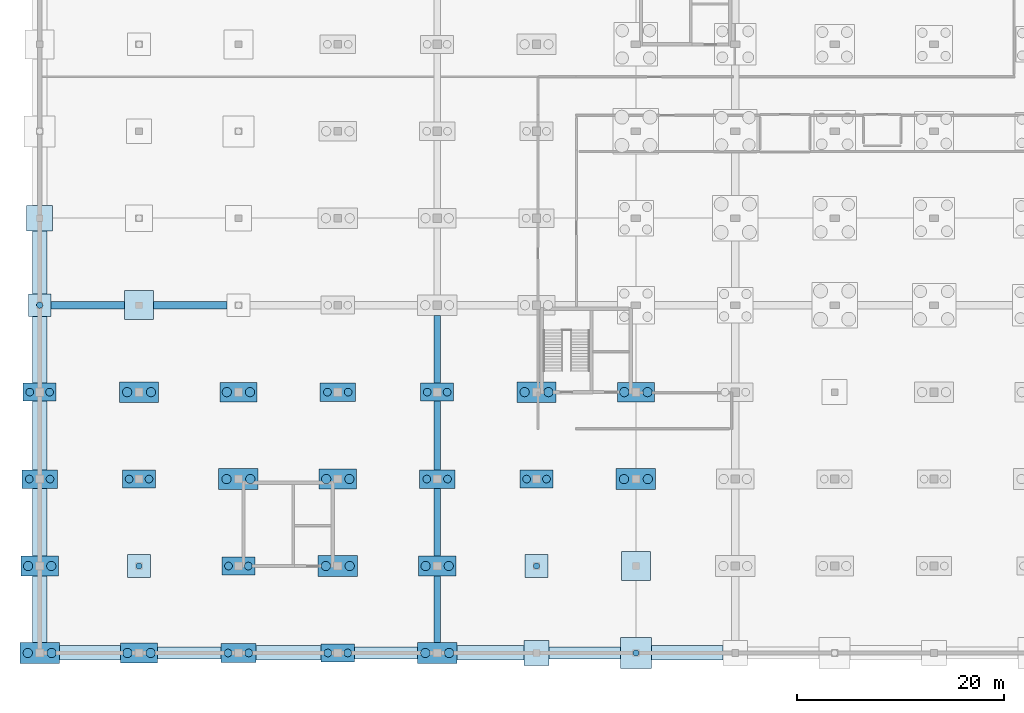
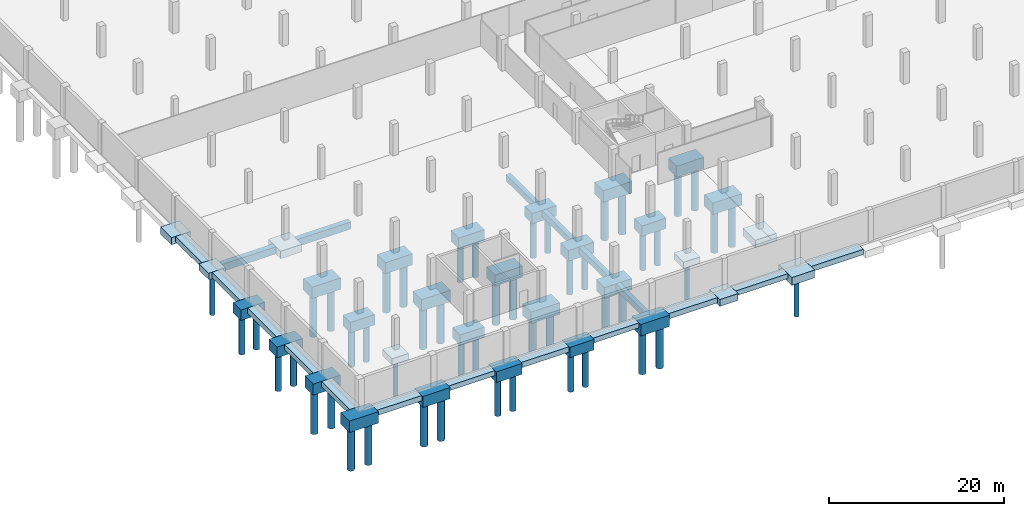
# One storey, part 1 of 26: 50 piles, 49 footings.
"""IFC4 building model written with IfcOpenShell, lengths in metres."""

from ifc_helpers import new_model, si_unit, direction, frame, origin, origin_2d, place, context, subcontext, project, spatial, rectangle, circle, extrude, material, layer, layer_set, material_profile, profile_set, type_object, element, save


model = new_model("IFC4")

# Units and contexts
model_context = context("Model", 3, precision=1e-05, world=origin(), true_north=direction((0.0, 1.0)))
body_context = subcontext(model_context, "Body", "Model", "MODEL_VIEW")
ifc_project = project(units=[si_unit("LENGTHUNIT", "METRE"), si_unit("AREAUNIT", "SQUARE_METRE"), si_unit("VOLUMEUNIT", "CUBIC_METRE"), si_unit("PLANEANGLEUNIT", "RADIAN"), si_unit("MASSUNIT", "GRAM", prefix="KILO")], contexts=[model_context])

# Site, building, storey
site_placement = place(None, origin())
site = spatial("IfcSite", under=ifc_project, at=site_placement, CompositionType="ELEMENT")
building_placement = place(site_placement, origin())
building = spatial("IfcBuilding", under=site, at=building_placement, Name="Lornevale Opera House", CompositionType="ELEMENT")
storey_placement = place(building_placement, frame((0.0, 0.0, -9.60009765625)))
storey = spatial("IfcBuildingStorey", under=building, at=storey_placement, Name="B2", CompositionType="ELEMENT", Elevation=-9.60009765625)

# Footings
ifc_material_1 = material(Name="Concrete 35 MPa (CSA A23.1 N)", Category="concrete")
ifc_layer_1 = layer(ifc_material_1, 1.0)
ifc_layer_set_1 = layer_set([ifc_layer_1], Name="Concrete 35 MPa (CSA A23.1 N)")
footing_type_1 = type_object("IfcFootingType", Name="Canopy Mast Pad 2500x2500x1000", PredefinedType="PAD_FOOTING", material=ifc_layer_set_1)
footing_1_placement = place(storey_placement, frame((0.0, 42.0, -1.4599609375), z_axis=(0.0, 0.0, 1.0), x_axis=(1.0, 0.0, 0.0)))
element("IfcFooting", 1, at=footing_1_placement, inside=storey, type_object=footing_type_1, Name="Canopy Mast Pad 2500x2500x1000 FT-006", PredefinedType="PAD_FOOTING", context=body_context, shape_type="SweptSolid", body=[
    extrude(rectangle(XDim=2.5, YDim=2.5, at=origin_2d()), origin(), (0.0, 0.0, 1.0), 1.0),
])
ifc_layer_2 = layer(ifc_material_1, 1.0)
ifc_layer_set_2 = layer_set([ifc_layer_2], Name="Concrete 35 MPa (CSA A23.1 N)")
footing_type_2 = type_object("IfcFootingType", Name="Grade Tie Beam EW 700x1000", PredefinedType="FOOTING_BEAM", material=ifc_layer_set_2)
for number, where, z_axis, x_axis, name in (
    (2, (4.64990234375, 33.60009765625, -1.4599609375), (0.0, 0.0, 1.0), (1.0, 0.0, 0.0), "Grade Tie Beam EW 700x1000 FT-250"),
    (3, (14.550048828125, 33.60009765625, -1.4599609375), (0.0, 0.0, 1.0), (1.0, 0.0, 0.0), "Grade Tie Beam EW 700x1000 FT-254"),
):
    element("IfcFooting", number, at=place(storey_placement, frame(where, z_axis=z_axis, x_axis=x_axis)), inside=storey, type_object=footing_type_2, Name=name, PredefinedType="FOOTING_BEAM", context=body_context, shape_type="SweptSolid", body=[
        extrude(rectangle(XDim=7.10009765625, YDim=0.699951171875, at=origin_2d()), origin(), (0.0, 0.0, 1.0), 1.0),
    ])
ifc_layer_3 = layer(ifc_material_1, 0.89990234375)
ifc_layer_set_3 = layer_set([ifc_layer_3], Name="Concrete 35 MPa (CSA A23.1 N)")
footing_type_3 = type_object("IfcFootingType", Name="Grade Tie Beam NS 600x900", PredefinedType="FOOTING_BEAM", material=ifc_layer_set_3)
footing_2_placement = place(storey_placement, frame((38.39990234375, 4.22509765625, -1.35986328125), z_axis=(0.0, 0.0, 1.0), x_axis=(1.0, 0.0, 0.0)))
element("IfcFooting", 4, at=footing_2_placement, inside=storey, type_object=footing_type_3, Name="Grade Tie Beam NS 600x900 FT-336", PredefinedType="FOOTING_BEAM", context=body_context, shape_type="SweptSolid", body=[
    extrude(rectangle(XDim=0.60009765625, YDim=6.449951171875, at=origin_2d()), origin(), (0.0, 0.0, 1.0), 0.89990234375),
])
footing_3_placement = place(storey_placement, frame((38.39990234375, 12.625, -1.35986328125), z_axis=(0.0, 0.0, 1.0), x_axis=(1.0, 0.0, 0.0)))
element("IfcFooting", 5, at=footing_3_placement, inside=storey, type_object=footing_type_3, Name="Grade Tie Beam NS 600x900 FT-337", PredefinedType="FOOTING_BEAM", context=body_context, shape_type="SweptSolid", body=[
    extrude(rectangle(XDim=0.60009765625, YDim=6.550048828125, at=origin_2d()), origin(), (0.0, 0.0, 1.0), 0.89990234375),
])
footing_4_placement = place(storey_placement, frame((38.39990234375, 21.012451171875, -1.35986328125), z_axis=(0.0, 0.0, 1.0), x_axis=(1.0, 0.0, 0.0)))
element("IfcFooting", 6, at=footing_4_placement, inside=storey, type_object=footing_type_3, Name="Grade Tie Beam NS 600x900 FT-338", PredefinedType="FOOTING_BEAM", context=body_context, shape_type="SweptSolid", body=[
    extrude(rectangle(XDim=0.60009765625, YDim=6.625, at=origin_2d()), origin(), (0.0, 0.0, 1.0), 0.89990234375),
])
footing_5_placement = place(storey_placement, frame((38.39990234375, 29.33740234375, -1.35986328125), z_axis=(0.0, 0.0, 1.0), x_axis=(1.0, 0.0, 0.0)))
element("IfcFooting", 7, at=footing_5_placement, inside=storey, type_object=footing_type_3, Name="Grade Tie Beam NS 600x900 FT-339", PredefinedType="FOOTING_BEAM", context=body_context, shape_type="SweptSolid", body=[
    extrude(rectangle(XDim=0.60009765625, YDim=6.52490234375, at=origin_2d()), origin(), (0.0, 0.0, 1.0), 0.89990234375),
])

# Piles
ifc_material_2 = material(Name="Concrete 40 MPa (CSA A23.1 C-1)", Category="concrete")
ifc_material_profile_1 = material_profile(ifc_material_2, circle(Radius=0.300048828125, at=origin_2d()), Name="CAIS600")
ifc_profile_set_1 = profile_set([ifc_material_profile_1], Name="Concrete 40 MPa (CSA A23.1 C-1)")
pile_type_1 = type_object("IfcPileType", Name="Micropile Caisson D600", PredefinedType="BORED", material=ifc_profile_set_1)
for number, where, z_axis, x_axis, name in (
    (8, (0.0, 33.60009765625, -1.239990234375), (0.0, 0.0, -1.0), (1.0, 0.0, 0.0), "Micropile Caisson D600 0009"),
    (9, (9.60009765625, 8.39990234375, -1.239990234375), (0.0, 0.0, -1.0), (1.0, 0.0, 0.0), "Micropile Caisson D600 0023"),
    (10, (48.0, 8.39990234375, -1.239990234375), (0.0, 0.0, -1.0), (1.0, 0.0, 0.0), "Micropile Caisson D600 0111"),
):
    element("IfcPile", number, at=place(storey_placement, frame(where, z_axis=z_axis, x_axis=x_axis)), inside=storey, type_object=pile_type_1, Name=name, PredefinedType="BORED", context=body_context, shape_type="SweptSolid", body=[
        extrude(circle(Radius=0.300048828125, at=origin_2d()), origin(), (0.0, 0.0, 1.0), 5.9599609375),
    ])
pile_placement = place(storey_placement, frame((57.60009765625, 0.0, -1.43994140625), z_axis=(0.0, 0.0, -1.0), x_axis=(1.0, 0.0, 0.0)))
element("IfcPile", 11, at=pile_placement, inside=storey, type_object=pile_type_1, Name="Micropile Caisson D600 0135", PredefinedType="BORED", context=body_context, shape_type="SweptSolid", body=[
    extrude(circle(Radius=0.300048828125, at=origin_2d()), origin(), (0.0, 0.0, 1.0), 5.760009765625),
])

# Footings
ifc_layer_4 = layer(ifc_material_1, 0.699951171875)
ifc_layer_set_4 = layer_set([ifc_layer_4], Name="Concrete 35 MPa (CSA A23.1 N)")
footing_type_4 = type_object("IfcFootingType", Name="Perimeter Strip Footing 1200x700", PredefinedType="STRIP_FOOTING", material=ifc_layer_set_4)
for number, where, z_axis, x_axis, name in (
    (12, (14.449951171875, 0.0, -1.15966796875), (0.0, 0.0, 1.0), (1.0, 0.0, 0.0), "Perimeter Strip Footing 1200x700 FT-253"),
    (13, (33.449951171875, 0.0, -1.15966796875), (0.0, 0.0, 1.0), (1.0, 0.0, 0.0), "Perimeter Strip Footing 1200x700 FT-261"),
):
    element("IfcFooting", number, at=place(storey_placement, frame(where, z_axis=z_axis, x_axis=x_axis)), inside=storey, type_object=footing_type_4, Name=name, PredefinedType="STRIP_FOOTING", context=body_context, shape_type="SweptSolid", body=[
        extrude(rectangle(XDim=6.10009765625, YDim=1.199951171875, at=origin_2d()), origin(), (0.0, 0.0, 1.0), 0.699951171875),
    ])
footing_6_placement = place(storey_placement, frame((52.64990234375, 0.0, -1.15966796875), z_axis=(0.0, 0.0, 1.0), x_axis=(1.0, 0.0, 0.0)))
element("IfcFooting", 14, at=footing_6_placement, inside=storey, type_object=footing_type_4, Name="Perimeter Strip Footing 1200x700 FT-270", PredefinedType="STRIP_FOOTING", context=body_context, shape_type="SweptSolid", body=[
    extrude(rectangle(XDim=6.89990234375, YDim=1.199951171875, at=origin_2d()), origin(), (0.0, 0.0, 1.0), 0.699951171875),
])
ifc_layer_5 = layer(ifc_material_1, 0.75)
ifc_layer_set_5 = layer_set([ifc_layer_5], Name="Concrete 35 MPa (CSA A23.1 N)")
footing_type_5 = type_object("IfcFootingType", Name="Perimeter Strip Footing 1400x750", PredefinedType="STRIP_FOOTING", material=ifc_layer_set_5)
footing_7_placement = place(storey_placement, frame((4.85009765625, 0.0, -1.2099609375), z_axis=(0.0, 0.0, 1.0), x_axis=(1.0, 0.0, 0.0)))
element("IfcFooting", 15, at=footing_7_placement, inside=storey, type_object=footing_type_5, Name="Perimeter Strip Footing 1400x750 FT-249", PredefinedType="STRIP_FOOTING", context=body_context, shape_type="SweptSolid", body=[
    extrude(rectangle(XDim=5.89990234375, YDim=1.39990234375, at=origin_2d()), origin(), (0.0, 0.0, 1.0), 0.75),
])
footing_8_placement = place(storey_placement, frame((24.050048828125, 0.0, -1.2099609375), z_axis=(0.0, 0.0, 1.0), x_axis=(1.0, 0.0, 0.0)))
element("IfcFooting", 16, at=footing_8_placement, inside=storey, type_object=footing_type_5, Name="Perimeter Strip Footing 1400x750 FT-257", PredefinedType="STRIP_FOOTING", context=body_context, shape_type="SweptSolid", body=[
    extrude(rectangle(XDim=6.300048828125, YDim=1.39990234375, at=origin_2d()), origin(), (0.0, 0.0, 1.0), 0.75),
])
footing_9_placement = place(storey_placement, frame((43.550048828125, 0.0, -1.2099609375), z_axis=(0.0, 0.0, 1.0), x_axis=(1.0, 0.0, 0.0)))
element("IfcFooting", 17, at=footing_9_placement, inside=storey, type_object=footing_type_5, Name="Perimeter Strip Footing 1400x750 FT-265", PredefinedType="STRIP_FOOTING", context=body_context, shape_type="SweptSolid", body=[
    extrude(rectangle(XDim=6.5, YDim=1.39990234375, at=origin_2d()), origin(), (0.0, 0.0, 1.0), 0.75),
])
footing_10_placement = place(storey_placement, frame((62.550048828125, 0.0, -1.2099609375), z_axis=(0.0, 0.0, 1.0), x_axis=(1.0, 0.0, 0.0)))
element("IfcFooting", 18, at=footing_10_placement, inside=storey, type_object=footing_type_5, Name="Perimeter Strip Footing 1400x750 FT-275", PredefinedType="STRIP_FOOTING", context=body_context, shape_type="SweptSolid", body=[
    extrude(rectangle(XDim=6.89990234375, YDim=1.39990234375, at=origin_2d()), origin(), (0.0, 0.0, 1.0), 0.75),
])
ifc_layer_6 = layer(ifc_material_1, 0.75)
ifc_layer_set_6 = layer_set([ifc_layer_6], Name="Concrete 35 MPa (CSA A23.1 N)")
footing_type_6 = type_object("IfcFootingType", Name="Perimeter Strip Footing NS 1400x750", PredefinedType="STRIP_FOOTING", material=ifc_layer_set_6)
footing_11_placement = place(storey_placement, frame((0.0, 4.22509765625, -1.2099609375), z_axis=(0.0, 0.0, 1.0), x_axis=(1.0, 0.0, 0.0)))
element("IfcFooting", 19, at=footing_11_placement, inside=storey, type_object=footing_type_6, Name="Perimeter Strip Footing NS 1400x750 FT-324", PredefinedType="STRIP_FOOTING", context=body_context, shape_type="SweptSolid", body=[
    extrude(rectangle(XDim=1.39990234375, YDim=6.449951171875, at=origin_2d()), origin(), (0.0, 0.0, 1.0), 0.75),
])
footing_12_placement = place(storey_placement, frame((0.0, 12.625, -1.2099609375), z_axis=(0.0, 0.0, 1.0), x_axis=(1.0, 0.0, 0.0)))
element("IfcFooting", 20, at=footing_12_placement, inside=storey, type_object=footing_type_6, Name="Perimeter Strip Footing NS 1400x750 FT-325", PredefinedType="STRIP_FOOTING", context=body_context, shape_type="SweptSolid", body=[
    extrude(rectangle(XDim=1.39990234375, YDim=6.550048828125, at=origin_2d()), origin(), (0.0, 0.0, 1.0), 0.75),
])
footing_13_placement = place(storey_placement, frame((0.0, 21.012451171875, -1.2099609375), z_axis=(0.0, 0.0, 1.0), x_axis=(1.0, 0.0, 0.0)))
element("IfcFooting", 21, at=footing_13_placement, inside=storey, type_object=footing_type_6, Name="Perimeter Strip Footing NS 1400x750 FT-326", PredefinedType="STRIP_FOOTING", context=body_context, shape_type="SweptSolid", body=[
    extrude(rectangle(XDim=1.39990234375, YDim=6.625, at=origin_2d()), origin(), (0.0, 0.0, 1.0), 0.75),
])
footing_14_placement = place(storey_placement, frame((0.0, 29.28759765625, -1.2099609375), z_axis=(0.0, 0.0, 1.0), x_axis=(1.0, 0.0, 0.0)))
element("IfcFooting", 22, at=footing_14_placement, inside=storey, type_object=footing_type_6, Name="Perimeter Strip Footing NS 1400x750 FT-327", PredefinedType="STRIP_FOOTING", context=body_context, shape_type="SweptSolid", body=[
    extrude(rectangle(XDim=1.39990234375, YDim=6.425048828125, at=origin_2d()), origin(), (0.0, 0.0, 1.0), 0.75),
])
footing_15_placement = place(storey_placement, frame((0.0, 37.72509765625, -1.2099609375), z_axis=(0.0, 0.0, 1.0), x_axis=(1.0, 0.0, 0.0)))
element("IfcFooting", 23, at=footing_15_placement, inside=storey, type_object=footing_type_6, Name="Perimeter Strip Footing NS 1400x750 FT-328", PredefinedType="STRIP_FOOTING", context=body_context, shape_type="SweptSolid", body=[
    extrude(rectangle(XDim=1.39990234375, YDim=6.050048828125, at=origin_2d()), origin(), (0.0, 0.0, 1.0), 0.75),
])

# Piles
ifc_material_profile_2 = material_profile(ifc_material_2, circle(Radius=0.375, at=origin_2d()), Name="CAIS750")
ifc_profile_set_2 = profile_set([ifc_material_profile_2], Name="Concrete 40 MPa (CSA A23.1 C-1)")
pile_type_2 = type_object("IfcPileType", Name="Rock-Socketed Caisson D750", PredefinedType="BORED", material=ifc_profile_set_2)
for number, where, z_axis, x_axis, name in (
    (24, (-1.0, 16.800048828125, -1.83984375), (0.0, 0.0, -1.0), (1.0, 0.0, 0.0), "Rock-Socketed Caisson D750 0005"),
    (25, (1.0, 16.800048828125, -1.83984375), (0.0, 0.0, -1.0), (1.0, 0.0, 0.0), "Rock-Socketed Caisson D750 0006"),
):
    element("IfcPile", number, at=place(storey_placement, frame(where, z_axis=z_axis, x_axis=x_axis)), inside=storey, type_object=pile_type_2, Name=name, PredefinedType="BORED", context=body_context, shape_type="SweptSolid", body=[
        extrude(circle(Radius=0.375, at=origin_2d()), origin(), (0.0, 0.0, 1.0), 5.360107421875),
    ])
for number, where, z_axis, x_axis, name in (
    (26, (-0.9599609375, 25.199951171875, -1.789794921875), (0.0, 0.0, -1.0), (1.0, 0.0, 0.0), "Rock-Socketed Caisson D750 0007"),
    (27, (0.9599609375, 25.199951171875, -1.789794921875), (0.0, 0.0, -1.0), (1.0, 0.0, 0.0), "Rock-Socketed Caisson D750 0008"),
    (28, (8.639892578125, 16.800048828125, -1.789794921875), (0.0, 0.0, -1.0), (1.0, 0.0, 0.0), "Rock-Socketed Caisson D750 0024"),
    (29, (10.56005859375, 16.800048828125, -1.789794921875), (0.0, 0.0, -1.0), (1.0, 0.0, 0.0), "Rock-Socketed Caisson D750 0025"),
):
    element("IfcPile", number, at=place(storey_placement, frame(where, z_axis=z_axis, x_axis=x_axis)), inside=storey, type_object=pile_type_2, Name=name, PredefinedType="BORED", context=body_context, shape_type="SweptSolid", body=[
        extrude(circle(Radius=0.375, at=origin_2d()), origin(), (0.0, 0.0, 1.0), 5.409912109375),
    ])
for number, where, z_axis, x_axis, name in (
    (30, (18.199951171875, 0.0, -1.83984375), (0.0, 0.0, -1.0), (1.0, 0.0, 0.0), "Rock-Socketed Caisson D750 0038"),
    (31, (20.199951171875, 0.0, -1.83984375), (0.0, 0.0, -1.0), (1.0, 0.0, 0.0), "Rock-Socketed Caisson D750 0039"),
):
    element("IfcPile", number, at=place(storey_placement, frame(where, z_axis=z_axis, x_axis=x_axis)), inside=storey, type_object=pile_type_2, Name=name, PredefinedType="BORED", context=body_context, shape_type="SweptSolid", body=[
        extrude(circle(Radius=0.375, at=origin_2d()), origin(), (0.0, 0.0, 1.0), 5.360107421875),
    ])
for number, where, z_axis, x_axis, name in (
    (32, (18.239990234375, 8.39990234375, -1.789794921875), (0.0, 0.0, -1.0), (1.0, 0.0, 0.0), "Rock-Socketed Caisson D750 0040"),
    (33, (20.159912109375, 8.39990234375, -1.789794921875), (0.0, 0.0, -1.0), (1.0, 0.0, 0.0), "Rock-Socketed Caisson D750 0041"),
    (34, (27.840087890625, 0.0, -1.789794921875), (0.0, 0.0, -1.0), (1.0, 0.0, 0.0), "Rock-Socketed Caisson D750 0058"),
    (35, (29.760009765625, 0.0, -1.789794921875), (0.0, 0.0, -1.0), (1.0, 0.0, 0.0), "Rock-Socketed Caisson D750 0059"),
):
    element("IfcPile", number, at=place(storey_placement, frame(where, z_axis=z_axis, x_axis=x_axis)), inside=storey, type_object=pile_type_2, Name=name, PredefinedType="BORED", context=body_context, shape_type="SweptSolid", body=[
        extrude(circle(Radius=0.375, at=origin_2d()), origin(), (0.0, 0.0, 1.0), 5.409912109375),
    ])
for number, where, z_axis, x_axis, name in (
    (36, (27.800048828125, 25.199951171875, -1.83984375), (0.0, 0.0, -1.0), (1.0, 0.0, 0.0), "Rock-Socketed Caisson D750 0064"),
    (37, (29.800048828125, 25.199951171875, -1.83984375), (0.0, 0.0, -1.0), (1.0, 0.0, 0.0), "Rock-Socketed Caisson D750 0065"),
    (38, (37.39990234375, 16.800048828125, -1.83984375), (0.0, 0.0, -1.0), (1.0, 0.0, 0.0), "Rock-Socketed Caisson D750 0088"),
    (39, (39.39990234375, 16.800048828125, -1.83984375), (0.0, 0.0, -1.0), (1.0, 0.0, 0.0), "Rock-Socketed Caisson D750 0089"),
):
    element("IfcPile", number, at=place(storey_placement, frame(where, z_axis=z_axis, x_axis=x_axis)), inside=storey, type_object=pile_type_2, Name=name, PredefinedType="BORED", context=body_context, shape_type="SweptSolid", body=[
        extrude(circle(Radius=0.375, at=origin_2d()), origin(), (0.0, 0.0, 1.0), 5.360107421875),
    ])
for number, where, z_axis, x_axis, name in (
    (40, (37.43994140625, 25.199951171875, -1.789794921875), (0.0, 0.0, -1.0), (1.0, 0.0, 0.0), "Rock-Socketed Caisson D750 0090"),
    (41, (39.360107421875, 25.199951171875, -1.789794921875), (0.0, 0.0, -1.0), (1.0, 0.0, 0.0), "Rock-Socketed Caisson D750 0091"),
    (42, (47.0400390625, 16.800048828125, -1.789794921875), (0.0, 0.0, -1.0), (1.0, 0.0, 0.0), "Rock-Socketed Caisson D750 0112"),
    (43, (48.9599609375, 16.800048828125, -1.789794921875), (0.0, 0.0, -1.0), (1.0, 0.0, 0.0), "Rock-Socketed Caisson D750 0113"),
):
    element("IfcPile", number, at=place(storey_placement, frame(where, z_axis=z_axis, x_axis=x_axis)), inside=storey, type_object=pile_type_2, Name=name, PredefinedType="BORED", context=body_context, shape_type="SweptSolid", body=[
        extrude(circle(Radius=0.375, at=origin_2d()), origin(), (0.0, 0.0, 1.0), 5.409912109375),
    ])
ifc_material_profile_3 = material_profile(ifc_material_2, circle(Radius=0.449951171875, at=origin_2d()), Name="CAIS900")
ifc_profile_set_3 = profile_set([ifc_material_profile_3], Name="Concrete 40 MPa (CSA A23.1 C-1)")
pile_type_3 = type_object("IfcPileType", Name="Rock-Socketed Caisson D900", PredefinedType="BORED", material=ifc_profile_set_3)
for number, where, z_axis, x_axis, name in (
    (44, (-1.14990234375, 0.0, -1.93994140625), (0.0, 0.0, -1.0), (1.0, 0.0, 0.0), "Rock-Socketed Caisson D900 0001"),
    (45, (1.14990234375, 0.0, -1.93994140625), (0.0, 0.0, -1.0), (1.0, 0.0, 0.0), "Rock-Socketed Caisson D900 0002"),
):
    element("IfcPile", number, at=place(storey_placement, frame(where, z_axis=z_axis, x_axis=x_axis)), inside=storey, type_object=pile_type_3, Name=name, PredefinedType="BORED", context=body_context, shape_type="SweptSolid", body=[
        extrude(circle(Radius=0.449951171875, at=origin_2d()), origin(), (0.0, 0.0, 1.0), 6.06005859375),
    ])
for number, where, z_axis, x_axis, name in (
    (46, (-1.1201171875, 8.39990234375, -1.889892578125), (0.0, 0.0, -1.0), (1.0, 0.0, 0.0), "Rock-Socketed Caisson D900 0003"),
    (47, (1.1201171875, 8.39990234375, -1.889892578125), (0.0, 0.0, -1.0), (1.0, 0.0, 0.0), "Rock-Socketed Caisson D900 0004"),
    (48, (8.47998046875, 0.0, -1.889892578125), (0.0, 0.0, -1.0), (1.0, 0.0, 0.0), "Rock-Socketed Caisson D900 0021"),
    (49, (10.719970703125, 0.0, -1.889892578125), (0.0, 0.0, -1.0), (1.0, 0.0, 0.0), "Rock-Socketed Caisson D900 0022"),
):
    element("IfcPile", number, at=place(storey_placement, frame(where, z_axis=z_axis, x_axis=x_axis)), inside=storey, type_object=pile_type_3, Name=name, PredefinedType="BORED", context=body_context, shape_type="SweptSolid", body=[
        extrude(circle(Radius=0.449951171875, at=origin_2d()), origin(), (0.0, 0.0, 1.0), 6.110107421875),
    ])
for number, where, z_axis, x_axis, name in (
    (50, (8.449951171875, 25.199951171875, -1.93994140625), (0.0, 0.0, -1.0), (1.0, 0.0, 0.0), "Rock-Socketed Caisson D900 0026"),
    (51, (10.75, 25.199951171875, -1.93994140625), (0.0, 0.0, -1.0), (1.0, 0.0, 0.0), "Rock-Socketed Caisson D900 0027"),
    (52, (18.050048828125, 16.800048828125, -1.93994140625), (0.0, 0.0, -1.0), (1.0, 0.0, 0.0), "Rock-Socketed Caisson D900 0042"),
    (53, (20.35009765625, 16.800048828125, -1.93994140625), (0.0, 0.0, -1.0), (1.0, 0.0, 0.0), "Rock-Socketed Caisson D900 0043"),
):
    element("IfcPile", number, at=place(storey_placement, frame(where, z_axis=z_axis, x_axis=x_axis)), inside=storey, type_object=pile_type_3, Name=name, PredefinedType="BORED", context=body_context, shape_type="SweptSolid", body=[
        extrude(circle(Radius=0.449951171875, at=origin_2d()), origin(), (0.0, 0.0, 1.0), 6.06005859375),
    ])
for number, where, z_axis, x_axis, name in (
    (54, (18.080078125, 25.199951171875, -1.889892578125), (0.0, 0.0, -1.0), (1.0, 0.0, 0.0), "Rock-Socketed Caisson D900 0044"),
    (55, (20.320068359375, 25.199951171875, -1.889892578125), (0.0, 0.0, -1.0), (1.0, 0.0, 0.0), "Rock-Socketed Caisson D900 0045"),
):
    element("IfcPile", number, at=place(storey_placement, frame(where, z_axis=z_axis, x_axis=x_axis)), inside=storey, type_object=pile_type_3, Name=name, PredefinedType="BORED", context=body_context, shape_type="SweptSolid", body=[
        extrude(circle(Radius=0.449951171875, at=origin_2d()), origin(), (0.0, 0.0, 1.0), 6.110107421875),
    ])
for number, where, z_axis, x_axis, name in (
    (56, (27.64990234375, 8.39990234375, -1.93994140625), (0.0, 0.0, -1.0), (1.0, 0.0, 0.0), "Rock-Socketed Caisson D900 0060"),
    (57, (29.949951171875, 8.39990234375, -1.93994140625), (0.0, 0.0, -1.0), (1.0, 0.0, 0.0), "Rock-Socketed Caisson D900 0061"),
):
    element("IfcPile", number, at=place(storey_placement, frame(where, z_axis=z_axis, x_axis=x_axis)), inside=storey, type_object=pile_type_3, Name=name, PredefinedType="BORED", context=body_context, shape_type="SweptSolid", body=[
        extrude(circle(Radius=0.449951171875, at=origin_2d()), origin(), (0.0, 0.0, 1.0), 6.06005859375),
    ])
for number, where, z_axis, x_axis, name in (
    (58, (27.679931640625, 16.800048828125, -1.889892578125), (0.0, 0.0, -1.0), (1.0, 0.0, 0.0), "Rock-Socketed Caisson D900 0062"),
    (59, (29.919921875, 16.800048828125, -1.889892578125), (0.0, 0.0, -1.0), (1.0, 0.0, 0.0), "Rock-Socketed Caisson D900 0063"),
):
    element("IfcPile", number, at=place(storey_placement, frame(where, z_axis=z_axis, x_axis=x_axis)), inside=storey, type_object=pile_type_3, Name=name, PredefinedType="BORED", context=body_context, shape_type="SweptSolid", body=[
        extrude(circle(Radius=0.449951171875, at=origin_2d()), origin(), (0.0, 0.0, 1.0), 6.110107421875),
    ])
for number, where, z_axis, x_axis, name in (
    (60, (37.25, 0.0, -1.93994140625), (0.0, 0.0, -1.0), (1.0, 0.0, 0.0), "Rock-Socketed Caisson D900 0084"),
    (61, (39.550048828125, 0.0, -1.93994140625), (0.0, 0.0, -1.0), (1.0, 0.0, 0.0), "Rock-Socketed Caisson D900 0085"),
):
    element("IfcPile", number, at=place(storey_placement, frame(where, z_axis=z_axis, x_axis=x_axis)), inside=storey, type_object=pile_type_3, Name=name, PredefinedType="BORED", context=body_context, shape_type="SweptSolid", body=[
        extrude(circle(Radius=0.449951171875, at=origin_2d()), origin(), (0.0, 0.0, 1.0), 6.06005859375),
    ])
for number, where, z_axis, x_axis, name in (
    (62, (37.280029296875, 8.39990234375, -1.889892578125), (0.0, 0.0, -1.0), (1.0, 0.0, 0.0), "Rock-Socketed Caisson D900 0086"),
    (63, (39.52001953125, 8.39990234375, -1.889892578125), (0.0, 0.0, -1.0), (1.0, 0.0, 0.0), "Rock-Socketed Caisson D900 0087"),
):
    element("IfcPile", number, at=place(storey_placement, frame(where, z_axis=z_axis, x_axis=x_axis)), inside=storey, type_object=pile_type_3, Name=name, PredefinedType="BORED", context=body_context, shape_type="SweptSolid", body=[
        extrude(circle(Radius=0.449951171875, at=origin_2d()), origin(), (0.0, 0.0, 1.0), 6.110107421875),
    ])
for number, where, z_axis, x_axis, name in (
    (64, (46.85009765625, 25.199951171875, -1.93994140625), (0.0, 0.0, -1.0), (1.0, 0.0, 0.0), "Rock-Socketed Caisson D900 0114"),
    (65, (49.14990234375, 25.199951171875, -1.93994140625), (0.0, 0.0, -1.0), (1.0, 0.0, 0.0), "Rock-Socketed Caisson D900 0115"),
    (66, (56.449951171875, 16.800048828125, -1.93994140625), (0.0, 0.0, -1.0), (1.0, 0.0, 0.0), "Rock-Socketed Caisson D900 0136"),
    (67, (58.75, 16.800048828125, -1.93994140625), (0.0, 0.0, -1.0), (1.0, 0.0, 0.0), "Rock-Socketed Caisson D900 0137"),
):
    element("IfcPile", number, at=place(storey_placement, frame(where, z_axis=z_axis, x_axis=x_axis)), inside=storey, type_object=pile_type_3, Name=name, PredefinedType="BORED", context=body_context, shape_type="SweptSolid", body=[
        extrude(circle(Radius=0.449951171875, at=origin_2d()), origin(), (0.0, 0.0, 1.0), 6.06005859375),
    ])
for number, where, z_axis, x_axis, name in (
    (68, (56.47998046875, 25.199951171875, -1.889892578125), (0.0, 0.0, -1.0), (1.0, 0.0, 0.0), "Rock-Socketed Caisson D900 0138"),
    (69, (58.719970703125, 25.199951171875, -1.889892578125), (0.0, 0.0, -1.0), (1.0, 0.0, 0.0), "Rock-Socketed Caisson D900 0139"),
):
    element("IfcPile", number, at=place(storey_placement, frame(where, z_axis=z_axis, x_axis=x_axis)), inside=storey, type_object=pile_type_3, Name=name, PredefinedType="BORED", context=body_context, shape_type="SweptSolid", body=[
        extrude(circle(Radius=0.449951171875, at=origin_2d()), origin(), (0.0, 0.0, 1.0), 6.110107421875),
    ])

# Footings
ifc_layer_7 = layer(ifc_material_1, 0.89990234375)
ifc_layer_set_7 = layer_set([ifc_layer_7], Name="Concrete 35 MPa (CSA A23.1 N)")
footing_type_7 = type_object("IfcFootingType", Name="Spread Pad Footing 2200x2200x900", PredefinedType="PAD_FOOTING", material=ifc_layer_set_7)
for number, where, z_axis, x_axis, name in (
    (70, (0.0, 33.60009765625, -1.35986328125), (0.0, 0.0, 1.0), (1.0, 0.0, 0.0), "Spread Pad Footing 2200x2200x900 FT-005"),
    (71, (9.60009765625, 8.39990234375, -1.35986328125), (0.0, 0.0, 1.0), (1.0, 0.0, 0.0), "Spread Pad Footing 2200x2200x900 FT-015"),
    (72, (48.0, 8.39990234375, -1.35986328125), (0.0, 0.0, 1.0), (1.0, 0.0, 0.0), "Spread Pad Footing 2200x2200x900 FT-069"),
):
    element("IfcFooting", number, at=place(storey_placement, frame(where, z_axis=z_axis, x_axis=x_axis)), inside=storey, type_object=footing_type_7, Name=name, PredefinedType="PAD_FOOTING", context=body_context, shape_type="SweptSolid", body=[
        extrude(rectangle(XDim=2.199951171875, YDim=2.199951171875, at=origin_2d()), origin(), (0.0, 0.0, 1.0), 0.89990234375),
    ])
ifc_layer_8 = layer(ifc_material_1, 0.949951171875)
ifc_layer_set_8 = layer_set([ifc_layer_8], Name="Concrete 35 MPa (CSA A23.1 N)")
footing_type_8 = type_object("IfcFootingType", Name="Spread Pad Footing 2400x2400x950", PredefinedType="PAD_FOOTING", material=ifc_layer_set_8)
footing_16_placement = place(storey_placement, frame((48.0, 0.0, -1.40966796875), z_axis=(0.0, 0.0, 1.0), x_axis=(1.0, 0.0, 0.0)))
element("IfcFooting", 73, at=footing_16_placement, inside=storey, type_object=footing_type_8, Name="Spread Pad Footing 2400x2400x950 FT-068", PredefinedType="PAD_FOOTING", context=body_context, shape_type="SweptSolid", body=[
    extrude(rectangle(XDim=2.39990234375, YDim=2.39990234375, at=origin_2d()), origin(), (0.0, 0.0, 1.0), 0.949951171875),
])
ifc_layer_9 = layer(ifc_material_1, 1.050048828125)
ifc_layer_set_9 = layer_set([ifc_layer_9], Name="Concrete 35 MPa (CSA A23.1 N)")
footing_type_9 = type_object("IfcFootingType", Name="Spread Pad Footing 2800x2800x1050", PredefinedType="PAD_FOOTING", material=ifc_layer_set_9)
for number, where, z_axis, x_axis, name in (
    (74, (9.60009765625, 33.60009765625, -1.509765625), (0.0, 0.0, 1.0), (1.0, 0.0, 0.0), "Spread Pad Footing 2800x2800x1050 FT-018"),
    (75, (57.60009765625, 8.39990234375, -1.509765625), (0.0, 0.0, 1.0), (1.0, 0.0, 0.0), "Spread Pad Footing 2800x2800x1050 FT-084"),
):
    element("IfcFooting", number, at=place(storey_placement, frame(where, z_axis=z_axis, x_axis=x_axis)), inside=storey, type_object=footing_type_9, Name=name, PredefinedType="PAD_FOOTING", context=body_context, shape_type="SweptSolid", body=[
        extrude(rectangle(XDim=2.800048828125, YDim=2.800048828125, at=origin_2d()), origin(), (0.0, 0.0, 1.0), 1.050048828125),
    ])
ifc_layer_10 = layer(ifc_material_1, 1.10009765625)
ifc_layer_set_10 = layer_set([ifc_layer_10], Name="Concrete 35 MPa (CSA A23.1 N)")
footing_type_10 = type_object("IfcFootingType", Name="Spread Pad Footing 3000x3000x1100", PredefinedType="PAD_FOOTING", material=ifc_layer_set_10)
footing_17_placement = place(storey_placement, frame((57.60009765625, 0.0, -1.56005859375), z_axis=(0.0, 0.0, 1.0), x_axis=(1.0, 0.0, 0.0)))
element("IfcFooting", 76, at=footing_17_placement, inside=storey, type_object=footing_type_10, Name="Spread Pad Footing 3000x3000x1100 FT-083", PredefinedType="PAD_FOOTING", context=body_context, shape_type="SweptSolid", body=[
    extrude(rectangle(XDim=3.0, YDim=3.0, at=origin_2d()), origin(), (0.0, 0.0, 1.0), 1.10009765625),
])
ifc_layer_11 = layer(ifc_material_1, 1.449951171875)
ifc_layer_set_11 = layer_set([ifc_layer_11], Name="Concrete 35 MPa (CSA A23.1 N)")
footing_type_11 = type_object("IfcFootingType", Name="Two-Caisson Cap 3200x1750x1450", PredefinedType="PILE_CAP", material=ifc_layer_set_11)
for number, where, z_axis, x_axis, name in (
    (77, (0.0, 25.199951171875, -1.90966796875), (0.0, 0.0, 1.0), (1.0, 0.0, 0.0), "Two-Caisson Cap 3200x1750x1450 FT-004"),
    (78, (9.60009765625, 16.800048828125, -1.90966796875), (0.0, 0.0, 1.0), (1.0, 0.0, 0.0), "Two-Caisson Cap 3200x1750x1450 FT-016"),
    (79, (19.199951171875, 8.39990234375, -1.90966796875), (0.0, 0.0, 1.0), (1.0, 0.0, 0.0), "Two-Caisson Cap 3200x1750x1450 FT-028"),
    (80, (28.800048828125, 0.0, -1.90966796875), (0.0, 0.0, 1.0), (1.0, 0.0, 0.0), "Two-Caisson Cap 3200x1750x1450 FT-040"),
    (81, (38.39990234375, 25.199951171875, -1.90966796875), (0.0, 0.0, 1.0), (1.0, 0.0, 0.0), "Two-Caisson Cap 3200x1750x1450 FT-056"),
    (82, (48.0, 16.800048828125, -1.90966796875), (0.0, 0.0, 1.0), (1.0, 0.0, 0.0), "Two-Caisson Cap 3200x1750x1450 FT-070"),
):
    element("IfcFooting", number, at=place(storey_placement, frame(where, z_axis=z_axis, x_axis=x_axis)), inside=storey, type_object=footing_type_11, Name=name, PredefinedType="PILE_CAP", context=body_context, shape_type="SweptSolid", body=[
        extrude(rectangle(XDim=3.199951171875, YDim=1.75, at=origin_2d()), origin(), (0.0, 0.0, 1.0), 1.449951171875),
    ])
ifc_layer_12 = layer(ifc_material_1, 1.5)
ifc_layer_set_12 = layer_set([ifc_layer_12], Name="Concrete 35 MPa (CSA A23.1 N)")
footing_type_12 = type_object("IfcFootingType", Name="Two-Caisson Cap 3400x1800x1500", PredefinedType="PILE_CAP", material=ifc_layer_set_12)
for number, where, z_axis, x_axis, name in (
    (83, (0.0, 16.800048828125, -1.9599609375), (0.0, 0.0, 1.0), (1.0, 0.0, 0.0), "Two-Caisson Cap 3400x1800x1500 FT-003"),
    (84, (19.199951171875, 0.0, -1.9599609375), (0.0, 0.0, 1.0), (1.0, 0.0, 0.0), "Two-Caisson Cap 3400x1800x1500 FT-027"),
    (85, (28.800048828125, 25.199951171875, -1.9599609375), (0.0, 0.0, 1.0), (1.0, 0.0, 0.0), "Two-Caisson Cap 3400x1800x1500 FT-043"),
    (86, (38.39990234375, 16.800048828125, -1.9599609375), (0.0, 0.0, 1.0), (1.0, 0.0, 0.0), "Two-Caisson Cap 3400x1800x1500 FT-055"),
):
    element("IfcFooting", number, at=place(storey_placement, frame(where, z_axis=z_axis, x_axis=x_axis)), inside=storey, type_object=footing_type_12, Name=name, PredefinedType="PILE_CAP", context=body_context, shape_type="SweptSolid", body=[
        extrude(rectangle(XDim=3.39990234375, YDim=1.800048828125, at=origin_2d()), origin(), (0.0, 0.0, 1.0), 1.5),
    ])
ifc_layer_13 = layer(ifc_material_1, 1.550048828125)
ifc_layer_set_13 = layer_set([ifc_layer_13], Name="Concrete 35 MPa (CSA A23.1 N)")
footing_type_13 = type_object("IfcFootingType", Name="Two-Caisson Cap 3600x1900x1550", PredefinedType="PILE_CAP", material=ifc_layer_set_13)
for number, where, z_axis, x_axis, name in (
    (87, (0.0, 8.39990234375, -2.009765625), (0.0, 0.0, 1.0), (1.0, 0.0, 0.0), "Two-Caisson Cap 3600x1900x1550 FT-002"),
    (88, (9.60009765625, 0.0, -2.009765625), (0.0, 0.0, 1.0), (1.0, 0.0, 0.0), "Two-Caisson Cap 3600x1900x1550 FT-014"),
    (89, (19.199951171875, 25.199951171875, -2.009765625), (0.0, 0.0, 1.0), (1.0, 0.0, 0.0), "Two-Caisson Cap 3600x1900x1550 FT-030"),
    (90, (28.800048828125, 16.800048828125, -2.009765625), (0.0, 0.0, 1.0), (1.0, 0.0, 0.0), "Two-Caisson Cap 3600x1900x1550 FT-042"),
    (91, (38.39990234375, 8.39990234375, -2.009765625), (0.0, 0.0, 1.0), (1.0, 0.0, 0.0), "Two-Caisson Cap 3600x1900x1550 FT-054"),
    (92, (57.60009765625, 25.199951171875, -2.009765625), (0.0, 0.0, 1.0), (1.0, 0.0, 0.0), "Two-Caisson Cap 3600x1900x1550 FT-086"),
):
    element("IfcFooting", number, at=place(storey_placement, frame(where, z_axis=z_axis, x_axis=x_axis)), inside=storey, type_object=footing_type_13, Name=name, PredefinedType="PILE_CAP", context=body_context, shape_type="SweptSolid", body=[
        extrude(rectangle(XDim=3.60009765625, YDim=1.89990234375, at=origin_2d()), origin(), (0.0, 0.0, 1.0), 1.550048828125),
    ])
ifc_layer_14 = layer(ifc_material_1, 1.60009765625)
ifc_layer_set_14 = layer_set([ifc_layer_14], Name="Concrete 35 MPa (CSA A23.1 N)")
footing_type_14 = type_object("IfcFootingType", Name="Two-Caisson Cap 3800x2000x1600", PredefinedType="PILE_CAP", material=ifc_layer_set_14)
for number, where, z_axis, x_axis, name in (
    (93, (0.0, 0.0, -2.06005859375), (0.0, 0.0, 1.0), (1.0, 0.0, 0.0), "Two-Caisson Cap 3800x2000x1600 FT-001"),
    (94, (9.60009765625, 25.199951171875, -2.06005859375), (0.0, 0.0, 1.0), (1.0, 0.0, 0.0), "Two-Caisson Cap 3800x2000x1600 FT-017"),
    (95, (19.199951171875, 16.800048828125, -2.06005859375), (0.0, 0.0, 1.0), (1.0, 0.0, 0.0), "Two-Caisson Cap 3800x2000x1600 FT-029"),
    (96, (28.800048828125, 8.39990234375, -2.06005859375), (0.0, 0.0, 1.0), (1.0, 0.0, 0.0), "Two-Caisson Cap 3800x2000x1600 FT-041"),
    (97, (38.39990234375, 0.0, -2.06005859375), (0.0, 0.0, 1.0), (1.0, 0.0, 0.0), "Two-Caisson Cap 3800x2000x1600 FT-053"),
    (98, (48.0, 25.199951171875, -2.06005859375), (0.0, 0.0, 1.0), (1.0, 0.0, 0.0), "Two-Caisson Cap 3800x2000x1600 FT-071"),
    (99, (57.60009765625, 16.800048828125, -2.06005859375), (0.0, 0.0, 1.0), (1.0, 0.0, 0.0), "Two-Caisson Cap 3800x2000x1600 FT-085"),
):
    element("IfcFooting", number, at=place(storey_placement, frame(where, z_axis=z_axis, x_axis=x_axis)), inside=storey, type_object=footing_type_14, Name=name, PredefinedType="PILE_CAP", context=body_context, shape_type="SweptSolid", body=[
        extrude(rectangle(XDim=3.800048828125, YDim=2.0, at=origin_2d()), origin(), (0.0, 0.0, 1.0), 1.60009765625),
    ])

save(model, "model.ifc")
